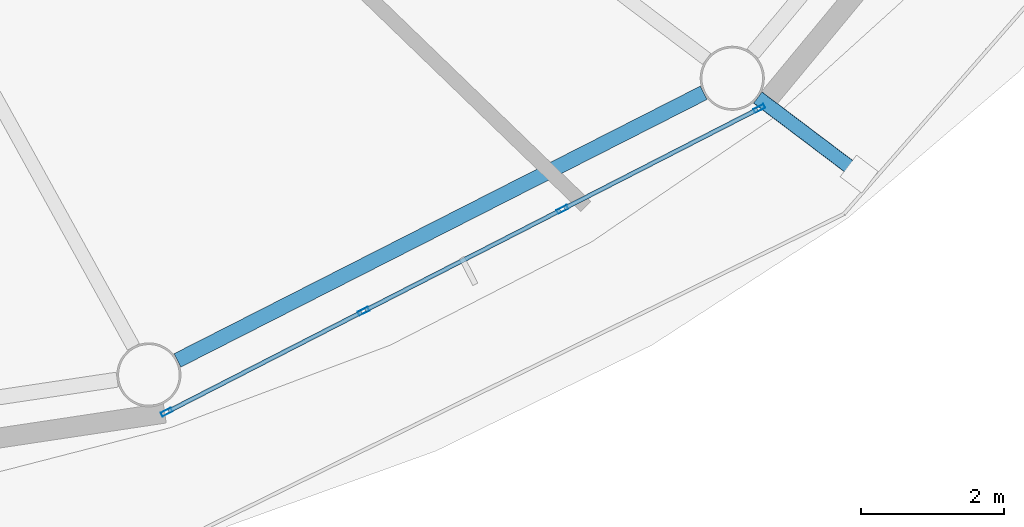
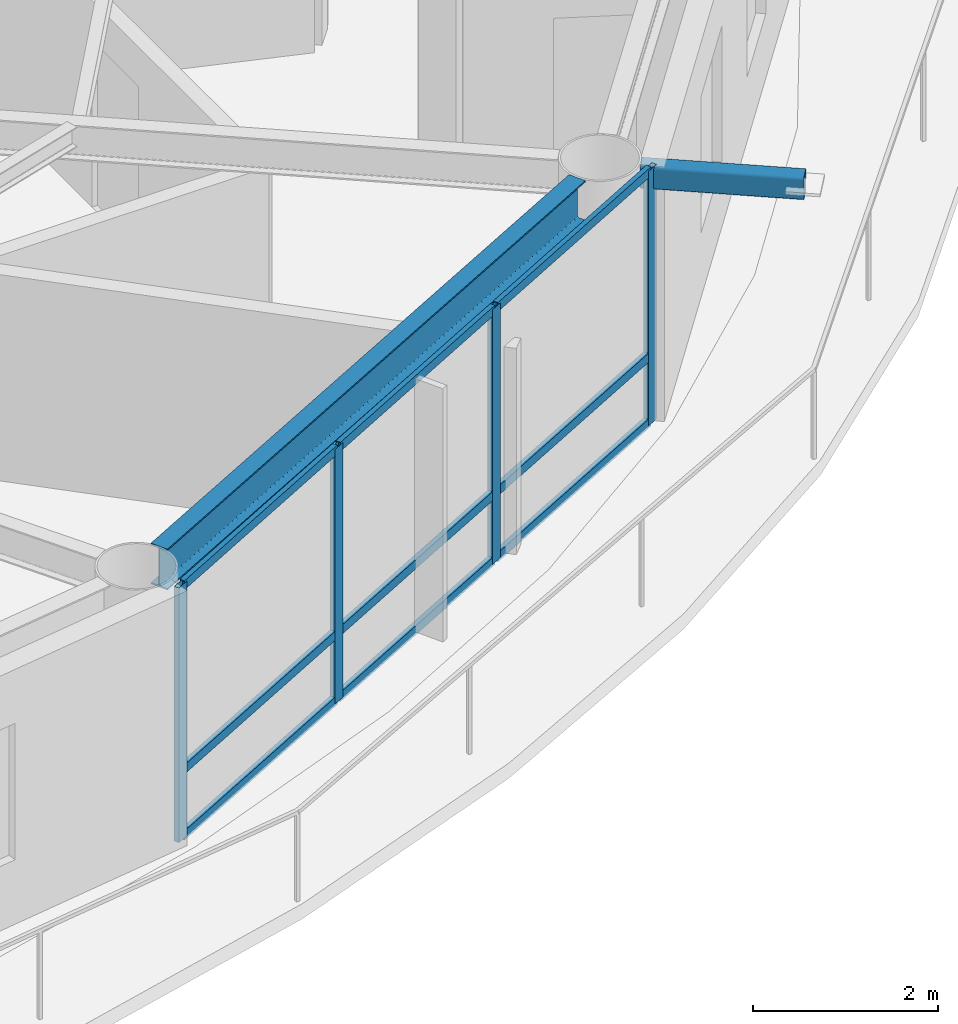
# One storey, part 5 of 22: 14 members, 1 beam, 1 element without a shape of its own.
"""IFC4 building model written with IfcOpenShell, lengths in metres."""

import ifcopenshell
import ifcopenshell.guid

model = None  # the IFC model being written
_history = None  # IfcOwnerHistory: only IFC2X3 demands one
_inside = {}  # id of a spatial element -> (the spatial element, [elements in it])
_under = {}  # id of a project, library or spatial element -> (it, [spatial elements below it])
_declared = {}  # id of a project -> (the project, [libraries it declares])
_typed = {}  # id of a type object -> (the type object, [elements of that type])
_made_of = {}  # id of a material, layer set ... -> (it, [elements and type objects made of it])


def new_model(schema):
    """Start an empty IFC model of exactly this schema.

    Asked for "IFC4X3", IfcOpenShell would pick the latest addendum, in which some entities
    have other attributes; the version numbers below select the first issue.
    IFC2X3 requires an IfcOwnerHistory on every rooted entity: one is made here for all.
    """
    global model, _history
    if schema == "IFC4X3":
        model = ifcopenshell.file(schema_version=(4, 3, 0, 0))
    else:
        model = ifcopenshell.file(schema=schema)
    _inside.clear()
    _under.clear()
    _declared.clear()
    _typed.clear()
    _made_of.clear()
    _history = None
    if model.schema == "IFC2X3":
        org = make("IfcOrganization", Name="unknown")
        user = make(
            "IfcPersonAndOrganization",
            ThePerson=make("IfcPerson", FamilyName="unknown"),
            TheOrganization=org,
        )
        app = make(
            "IfcApplication",
            ApplicationDeveloper=org,
            Version="unknown",
            ApplicationFullName="unknown",
            ApplicationIdentifier="unknown",
        )
        _history = make(
            "IfcOwnerHistory",
            OwningUser=user,
            OwningApplication=app,
            ChangeAction="ADDED",
            CreationDate=0,
        )
    return model


def make(cls, **values):
    """One entity of the class cls with the attributes given. An attribute that is None is left unset."""
    return model.create_entity(
        cls, **{name: value for name, value in values.items() if value is not None}
    )


def rooted(cls, **values):
    """An entity with a GlobalId (a new one), such as an element, a storey or a relation."""
    return make(cls, GlobalId=ifcopenshell.guid.new(), OwnerHistory=_history, **values)


def si_unit(unit_type, name, prefix=None):
    """IfcSIUnit, for example si_unit("LENGTHUNIT", "METRE", prefix="MILLI")."""
    return make("IfcSIUnit", UnitType=unit_type, Prefix=prefix, Name=name)


def assignment(units):
    """IfcUnitAssignment: the units of a project."""
    return None if units is None else make("IfcUnitAssignment", Units=units)


def point(xyz):
    """IfcCartesianPoint."""
    return None if xyz is None else make("IfcCartesianPoint", Coordinates=xyz)


def direction(xyz):
    """IfcDirection."""
    return None if xyz is None else make("IfcDirection", DirectionRatios=xyz)


def frame(location, z_axis=None, x_axis=None):
    """IfcAxis2Placement3D, a coordinate frame: its origin and axes. An axis left out is left unset."""
    return make(
        "IfcAxis2Placement3D",
        Location=point(location),
        Axis=direction(z_axis),
        RefDirection=direction(x_axis),
    )


def frame_2d(location, x_axis=None):
    """IfcAxis2Placement2D, a coordinate frame in the plane: its origin and x axis."""
    return make(
        "IfcAxis2Placement2D", Location=point(location), RefDirection=direction(x_axis)
    )


def origin():
    """The frame at (0, 0, 0) with its axes left unset."""
    return frame((0.0, 0.0, 0.0))


def origin_2d():
    """The frame at (0, 0) in the plane with its x axis left unset."""
    return frame_2d((0.0, 0.0))


def place(relative_to, where):
    """IfcLocalPlacement: puts the frame where relative to a parent placement (None: the world)."""
    return make(
        "IfcLocalPlacement", PlacementRelTo=relative_to, RelativePlacement=where
    )


def context(
    kind, dimensions, precision=None, world=None, true_north=None, identifier=None
):
    """IfcGeometricRepresentationContext, for example the 3D "Model" context."""
    return make(
        "IfcGeometricRepresentationContext",
        ContextIdentifier=identifier,
        ContextType=kind,
        CoordinateSpaceDimension=dimensions,
        Precision=precision,
        WorldCoordinateSystem=world,
        TrueNorth=true_north,
    )


def subcontext(parent, identifier, kind, view, scale=None):
    """IfcGeometricRepresentationSubContext, for example "Body" below "Model"."""
    return make(
        "IfcGeometricRepresentationSubContext",
        ContextIdentifier=identifier,
        ContextType=kind,
        ParentContext=parent,
        TargetScale=scale,
        TargetView=view,
    )


def project(units=None, contexts=None):
    """IfcProject with its units and contexts."""
    return rooted(
        "IfcProject",
        Name="project",
        RepresentationContexts=contexts,
        UnitsInContext=assignment(units),
    )


def spatial(cls, under=None, at=None, **own):
    """A site, building, storey or space (cls), placed at a placement, below another one or the project."""
    s = rooted(cls, ObjectPlacement=at, **own)
    if under is not None:
        _under.setdefault(under.id(), (under, []))[1].append(s)
    return s


def profile(cls, at=None, kind="AREA", **sizes):
    """A parametric profile (cls). Its sizes go by their IFC names, for example OverallWidth=200.0."""
    return make(cls, ProfileType=kind, Position=at, **sizes)


def hollow_rectangle(**sizes):
    """IfcRectangleHollowProfileDef."""
    return profile("IfcRectangleHollowProfileDef", **sizes)


def i_section(**sizes):
    """IfcIShapeProfileDef."""
    return profile("IfcIShapeProfileDef", **sizes)


def extrude(swept, where, along, depth):
    """IfcExtrudedAreaSolid: the profile swept, set in the frame where, extruded along a direction by depth."""
    return make(
        "IfcExtrudedAreaSolid",
        SweptArea=swept,
        Position=where,
        ExtrudedDirection=direction(along),
        Depth=depth,
    )


def shape(context_of_items, identifier, shape_type, items):
    """IfcShapeRepresentation: the items that make up one representation, for example the "Body"."""
    return make(
        "IfcShapeRepresentation",
        ContextOfItems=context_of_items,
        RepresentationIdentifier=identifier,
        RepresentationType=shape_type,
        Items=items,
    )


def material(Name=None, Category=None):
    """IfcMaterial."""
    return make("IfcMaterial", Name=Name, Category=Category)


def layer(
    of_material, thickness, ventilated=None, Name=None, Category=None, Priority=None
):
    """IfcMaterialLayer: one layer of a wall or slab, of a material (None: an air gap)."""
    return make(
        "IfcMaterialLayer",
        Material=of_material,
        LayerThickness=thickness,
        IsVentilated=ventilated,
        Name=Name,
        Category=Category,
        Priority=Priority,
    )


def layer_set(layers, Name=None):
    """IfcMaterialLayerSet."""
    return make("IfcMaterialLayerSet", MaterialLayers=layers, LayerSetName=Name)


def material_profile(
    of_material, cross_section, Name=None, Category=None, Priority=None
):
    """IfcMaterialProfile: a cross section and its material."""
    return make(
        "IfcMaterialProfile",
        Name=Name,
        Material=of_material,
        Profile=cross_section,
        Priority=Priority,
        Category=Category,
    )


def profile_set(profiles, Name=None, composite=None):
    """IfcMaterialProfileSet."""
    return make(
        "IfcMaterialProfileSet",
        Name=Name,
        MaterialProfiles=profiles,
        CompositeProfile=composite,
    )


def made_of(thing, what):
    """Note that an element or type object is made of a material, layer set ...; save() writes the relation."""
    if what is not None:
        _made_of.setdefault(what.id(), (what, []))[1].append(thing)
    return thing


def type_object(cls, material=None, **own):
    """A type object (cls), such as IfcWallType, which elements share."""
    return made_of(rooted(cls, **own), material)


def element(
    cls,
    number,
    at=None,
    inside=None,
    cuts=None,
    type_object=None,
    material=None,
    context=None,
    identifier="Body",
    shape_type=None,
    held_by="IfcProductDefinitionShape",
    body=None,
    shapes=None,
    **own,
):
    """One element of the class cls, such as IfcWall. Its Tag is "e" and its number.

    at: its placement. inside: the storey or other place that contains it. cuts: it is an
    opening in that element (IfcRelVoidsElement). A single representation is given by context,
    identifier, shape_type and body (its items); several are given by shapes. held_by: the class
    of the entity that holds the representations. save() writes the other relations.
    """
    e = rooted(cls, Tag="e%d" % number, ObjectPlacement=at, **own)
    if body is not None:
        shapes = [shape(context, identifier, shape_type, body)]
    if shapes is not None:
        e.Representation = make(held_by, Representations=shapes)
    if inside is not None:
        _inside.setdefault(inside.id(), (inside, []))[1].append(e)
    if cuts is not None:
        rooted(
            "IfcRelVoidsElement", RelatingBuildingElement=cuts, RelatedOpeningElement=e
        )
    if type_object is not None:
        _typed.setdefault(type_object.id(), (type_object, []))[1].append(e)
    return made_of(e, material)


def aggregate(whole, parts):
    """IfcRelAggregates: a whole, such as a stair, and the parts it consists of."""
    return rooted("IfcRelAggregates", RelatingObject=whole, RelatedObjects=parts)


def save(model, path):
    """Write the relations noted so far, then the file.

    IfcRelAggregates (storeys below a building ...), IfcRelContainedInSpatialStructure (elements
    in a storey), IfcRelDefinesByType, IfcRelAssociatesMaterial and IfcRelDeclares: one each for
    every whole, place, type object, material and project.
    """
    for whole, parts in _under.values():
        aggregate(whole, parts)
    for where, things in _inside.values():
        rooted(
            "IfcRelContainedInSpatialStructure",
            RelatedElements=things,
            RelatingStructure=where,
        )
    for kind, things in _typed.values():
        rooted("IfcRelDefinesByType", RelatedObjects=things, RelatingType=kind)
    for what, things in _made_of.values():
        rooted("IfcRelAssociatesMaterial", RelatedObjects=things, RelatingMaterial=what)
    for by, libraries in _declared.values():
        rooted("IfcRelDeclares", RelatingContext=by, RelatedDefinitions=libraries)
    model.write(path)


model = new_model("IFC4")

# Units and contexts
model_context = context("Model", 3, precision=1e-05, world=origin(), true_north=direction((0.0, 1.0)))
body_context = subcontext(model_context, "Body", "Model", "MODEL_VIEW")
ifc_project = project(units=[si_unit("LENGTHUNIT", "METRE"), si_unit("AREAUNIT", "SQUARE_METRE"), si_unit("VOLUMEUNIT", "CUBIC_METRE"), si_unit("PLANEANGLEUNIT", "RADIAN"), si_unit("MASSUNIT", "GRAM", prefix="KILO")], contexts=[model_context])

# Site, building, storey
site_placement = place(None, origin())
site = spatial("IfcSite", under=ifc_project, at=site_placement, CompositionType="ELEMENT")
building_placement = place(site_placement, origin())
building = spatial("IfcBuilding", under=site, at=building_placement, Name="Sarneth Arch Tower", CompositionType="ELEMENT")
storey_placement = place(building_placement, frame((0.0, 0.0, 213.60009765625)))
storey = spatial("IfcBuildingStorey", under=building, at=storey_placement, Name="L54", CompositionType="ELEMENT", Elevation=213.60009765625)

# Beam
ifc_material_1 = material(Name="Steel S355", Category="steel")
ifc_material_profile_1 = material_profile(ifc_material_1, i_section(OverallWidth=0.2109375, OverallDepth=0.5390625, WebThickness=0.01171875, FlangeThickness=0.018798828125, FilletRadius=0.01806640625, at=origin_2d()), Name="W530x109")
ifc_profile_set_1 = profile_set([ifc_material_profile_1], Name="Steel S355")
beam_type = type_object("IfcBeamType", Name="BM-RAD-530B", PredefinedType="BEAM", material=ifc_profile_set_1)
beam_placement = place(storey_placement, frame((58.19189453125, 24.465576171875, 3.09033203125), z_axis=(0.891376248079, 0.453264144138, 0.0), x_axis=(-0.453264144138, 0.891376248079, 0.0)))
element("IfcBeam", 1, at=beam_placement, inside=storey, type_object=beam_type, Name="L54 Perimeter spandrel beam 14", PredefinedType="BEAM", context=body_context, shape_type="SweptSolid", body=[
    extrude(i_section(OverallWidth=0.2109375, OverallDepth=0.5390625, WebThickness=0.01171875, FlangeThickness=0.018798828125, FilletRadius=0.01806640625, at=origin_2d()), origin(), (0.0, 0.0, 1.0), 8.281982421875),
])

# Curtain wall, members
ifc_material_2 = material(Name="Anodised aluminium Type AA25 and solar-control low-e laminated IGU", Category="aluminium")
ifc_layer = layer(ifc_material_2, 0.179931640625)
ifc_layer_set = layer_set([ifc_layer], Name="Anodised aluminium Type AA25 and solar-control low-e laminated IGU")
curtain_wall_type = type_object("IfcCurtainWallType", Name="CW-RES-HIGH", PredefinedType="NOTDEFINED", material=ifc_layer_set)
curtain_wall_placement = place(storey_placement, origin())
curtain_wall = element("IfcCurtainWall", 2, at=curtain_wall_placement, inside=storey, type_object=curtain_wall_type, Name="L54 Unitised curtain wall facet 14", PredefinedType="NOTDEFINED")
ifc_material_3 = material(Name="Anodised Aluminium 6063-T6", Category="aluminium")
ifc_material_profile_2 = material_profile(ifc_material_3, hollow_rectangle(XDim=0.06005859375, YDim=0.159912109375, WallThickness=0.00390625, at=origin_2d()), Name="AL-MULL-160x60x4")
ifc_profile_set_2 = profile_set([ifc_material_profile_2], Name="Anodised Aluminium 6063-T6")
member_type_1 = type_object("IfcMemberType", Name="CW-MULLION", PredefinedType="MULLION", material=ifc_profile_set_2)
member_1_placement = place(storey_placement, frame((58.039306640625, 23.7392578125, 0.0), z_axis=(0.0, 0.0, 1.0), x_axis=(-0.455941901753, 0.890009540525, 0.0)))
member_1 = element("IfcMember", 3, at=member_1_placement, type_object=member_type_1, Name="CW-SYS-6 mullion 1", PredefinedType="MULLION", context=body_context, shape_type="SweptSolid", body=[
    extrude(hollow_rectangle(XDim=0.06005859375, YDim=0.159912109375, WallThickness=0.00390625, at=origin_2d()), origin(), (0.0, 0.0, 1.0), 3.35986328125),
])
member_2_placement = place(storey_placement, frame((60.802490234375, 25.155029296875, 0.0), z_axis=(0.0, 0.0, 1.0), x_axis=(-0.455941901753, 0.890009540525, 0.0)))
member_2 = element("IfcMember", 4, at=member_2_placement, type_object=member_type_1, Name="CW-SYS-6 mullion 2", PredefinedType="MULLION", context=body_context, shape_type="SweptSolid", body=[
    extrude(hollow_rectangle(XDim=0.06005859375, YDim=0.159912109375, WallThickness=0.00390625, at=origin_2d()), origin(), (0.0, 0.0, 1.0), 3.35986328125),
])
member_3_placement = place(storey_placement, frame((63.592529296875, 26.584228515625, 0.0), z_axis=(0.0, 0.0, 1.0), x_axis=(-0.455941901753, 0.890009540525, 0.0)))
member_3 = element("IfcMember", 5, at=member_3_placement, type_object=member_type_1, Name="CW-SYS-6 mullion 3", PredefinedType="MULLION", context=body_context, shape_type="SweptSolid", body=[
    extrude(hollow_rectangle(XDim=0.06005859375, YDim=0.159912109375, WallThickness=0.00390625, at=origin_2d()), origin(), (0.0, 0.0, 1.0), 3.35986328125),
])
member_4_placement = place(storey_placement, frame((66.355712890625, 27.999755859375, 0.0), z_axis=(0.0, 0.0, 1.0), x_axis=(-0.455941901753, 0.890009540525, 0.0)))
member_4 = element("IfcMember", 6, at=member_4_placement, type_object=member_type_1, Name="CW-SYS-6 mullion 4", PredefinedType="MULLION", context=body_context, shape_type="SweptSolid", body=[
    extrude(hollow_rectangle(XDim=0.06005859375, YDim=0.159912109375, WallThickness=0.00390625, at=origin_2d()), origin(), (0.0, 0.0, 1.0), 3.35986328125),
])
ifc_material_4 = material(Name="Anodised Aluminium 6063-T6", Category="aluminium")
ifc_material_profile_3 = material_profile(ifc_material_4, hollow_rectangle(XDim=0.06005859375, YDim=0.1201171875, WallThickness=0.00390625, at=origin_2d()), Name="AL-TRAN-120x60x4")
ifc_profile_set_3 = profile_set([ifc_material_profile_3], Name="Anodised Aluminium 6063-T6")
member_type_2 = type_object("IfcMemberType", Name="CW-TRANSOM", PredefinedType="USERDEFINED", material=ifc_profile_set_3)
member_5_placement = place(storey_placement, frame((58.066162109375, 23.7529296875, 0.02978515625), z_axis=(0.889973523166, 0.456012201662, 0.0), x_axis=(-0.456012201662, 0.889973523166, 0.0)))
member_5 = element("IfcMember", 7, at=member_5_placement, type_object=member_type_2, Name="CW-SYS-6 transom 1.1", ObjectType="TRANSOM", PredefinedType="USERDEFINED", context=body_context, shape_type="SweptSolid", body=[
    extrude(hollow_rectangle(XDim=0.06005859375, YDim=0.1201171875, WallThickness=0.00390625, at=origin_2d()), origin(), (0.0, 0.0, 1.0), 3.044677734375),
])
member_6_placement = place(storey_placement, frame((58.066162109375, 23.7529296875, 0.89990234375), z_axis=(0.889973523166, 0.456012201662, 0.0), x_axis=(-0.456012201662, 0.889973523166, 0.0)))
member_6 = element("IfcMember", 8, at=member_6_placement, type_object=member_type_2, Name="CW-SYS-6 transom 1.2", ObjectType="TRANSOM", PredefinedType="USERDEFINED", context=body_context, shape_type="SweptSolid", body=[
    extrude(hollow_rectangle(XDim=0.06005859375, YDim=0.1201171875, WallThickness=0.00390625, at=origin_2d()), origin(), (0.0, 0.0, 1.0), 3.044677734375),
])
member_7_placement = place(storey_placement, frame((58.066162109375, 23.7529296875, 3.329833984375), z_axis=(0.889973523166, 0.456012201662, 0.0), x_axis=(-0.456012201662, 0.889973523166, 0.0)))
member_7 = element("IfcMember", 9, at=member_7_placement, type_object=member_type_2, Name="CW-SYS-6 transom 1.3", ObjectType="TRANSOM", PredefinedType="USERDEFINED", context=body_context, shape_type="SweptSolid", body=[
    extrude(hollow_rectangle(XDim=0.06005859375, YDim=0.1201171875, WallThickness=0.00390625, at=origin_2d()), origin(), (0.0, 0.0, 1.0), 3.044677734375),
])
member_8_placement = place(storey_placement, frame((60.829345703125, 25.168701171875, 0.02978515625), z_axis=(0.890017432405, 0.455926496286, 0.0), x_axis=(-0.455926496286, 0.890017432405, 0.0)))
member_8 = element("IfcMember", 10, at=member_8_placement, type_object=member_type_2, Name="CW-SYS-6 transom 2.1", ObjectType="TRANSOM", PredefinedType="USERDEFINED", context=body_context, shape_type="SweptSolid", body=[
    extrude(hollow_rectangle(XDim=0.06005859375, YDim=0.1201171875, WallThickness=0.00390625, at=origin_2d()), origin(), (0.0, 0.0, 1.0), 3.07470703125),
])
member_9_placement = place(storey_placement, frame((60.829345703125, 25.168701171875, 0.89990234375), z_axis=(0.890017432405, 0.455926496286, 0.0), x_axis=(-0.455926496286, 0.890017432405, 0.0)))
member_9 = element("IfcMember", 11, at=member_9_placement, type_object=member_type_2, Name="CW-SYS-6 transom 2.2", ObjectType="TRANSOM", PredefinedType="USERDEFINED", context=body_context, shape_type="SweptSolid", body=[
    extrude(hollow_rectangle(XDim=0.06005859375, YDim=0.1201171875, WallThickness=0.00390625, at=origin_2d()), origin(), (0.0, 0.0, 1.0), 3.07470703125),
])
member_10_placement = place(storey_placement, frame((60.829345703125, 25.168701171875, 3.329833984375), z_axis=(0.890017432405, 0.455926496286, 0.0), x_axis=(-0.455926496286, 0.890017432405, 0.0)))
member_10 = element("IfcMember", 12, at=member_10_placement, type_object=member_type_2, Name="CW-SYS-6 transom 2.3", ObjectType="TRANSOM", PredefinedType="USERDEFINED", context=body_context, shape_type="SweptSolid", body=[
    extrude(hollow_rectangle(XDim=0.06005859375, YDim=0.1201171875, WallThickness=0.00390625, at=origin_2d()), origin(), (0.0, 0.0, 1.0), 3.07470703125),
])
member_11_placement = place(storey_placement, frame((63.619140625, 26.597900390625, 0.02978515625), z_axis=(0.890022732705, 0.455916149384, 0.0), x_axis=(-0.455916149384, 0.890022732705, 0.0)))
member_11 = element("IfcMember", 13, at=member_11_placement, type_object=member_type_2, Name="CW-SYS-6 transom 3.1", ObjectType="TRANSOM", PredefinedType="USERDEFINED", context=body_context, shape_type="SweptSolid", body=[
    extrude(hollow_rectangle(XDim=0.06005859375, YDim=0.1201171875, WallThickness=0.00390625, at=origin_2d()), origin(), (0.0, 0.0, 1.0), 3.044921875),
])
member_12_placement = place(storey_placement, frame((63.619140625, 26.597900390625, 0.89990234375), z_axis=(0.890022732705, 0.455916149384, 0.0), x_axis=(-0.455916149384, 0.890022732705, 0.0)))
member_12 = element("IfcMember", 14, at=member_12_placement, type_object=member_type_2, Name="CW-SYS-6 transom 3.2", ObjectType="TRANSOM", PredefinedType="USERDEFINED", context=body_context, shape_type="SweptSolid", body=[
    extrude(hollow_rectangle(XDim=0.06005859375, YDim=0.1201171875, WallThickness=0.00390625, at=origin_2d()), origin(), (0.0, 0.0, 1.0), 3.044921875),
])
member_13_placement = place(storey_placement, frame((63.619140625, 26.597900390625, 3.329833984375), z_axis=(0.890022732705, 0.455916149384, 0.0), x_axis=(-0.455916149384, 0.890022732705, 0.0)))
member_13 = element("IfcMember", 15, at=member_13_placement, type_object=member_type_2, Name="CW-SYS-6 transom 3.3", ObjectType="TRANSOM", PredefinedType="USERDEFINED", context=body_context, shape_type="SweptSolid", body=[
    extrude(hollow_rectangle(XDim=0.06005859375, YDim=0.1201171875, WallThickness=0.00390625, at=origin_2d()), origin(), (0.0, 0.0, 1.0), 3.044921875),
])
aggregate(curtain_wall, [member_1, member_2, member_3, member_4, member_5, member_6, member_7, member_8, member_9, member_10, member_11, member_12, member_13])

# Member
ifc_material_5 = material(Name="Steel S355", Category="steel")
ifc_material_profile_4 = material_profile(ifc_material_5, hollow_rectangle(XDim=0.199951171875, YDim=0.300048828125, WallThickness=0.012451171875, InnerFilletRadius=0.018798828125, OuterFilletRadius=0.03125, at=origin_2d()), Name="RHS300x200x12.5")
ifc_profile_set_4 = profile_set([ifc_material_profile_4], Name="Steel S355")
member_type_3 = type_object("IfcMemberType", Name="MEM-CANT-STRUT", PredefinedType="STRUT", material=ifc_profile_set_4)
member_14_placement = place(storey_placement, frame((66.334228515625, 28.15234375, 3.199951171875), z_axis=(0.797939111492, -0.602738064462, 0.0), x_axis=(0.602738064462, 0.797939111492, 0.0)))
element("IfcMember", 16, at=member_14_placement, inside=storey, type_object=member_type_3, Name="L54 Balcony cantilever bracket 15", PredefinedType="STRUT", context=body_context, shape_type="SweptSolid", body=[
    extrude(hollow_rectangle(XDim=0.199951171875, YDim=0.300048828125, WallThickness=0.012451171875, InnerFilletRadius=0.018798828125, OuterFilletRadius=0.03125, at=origin_2d()), origin(), (0.0, 0.0, 1.0), 1.781005859375),
])

save(model, "model.ifc")
